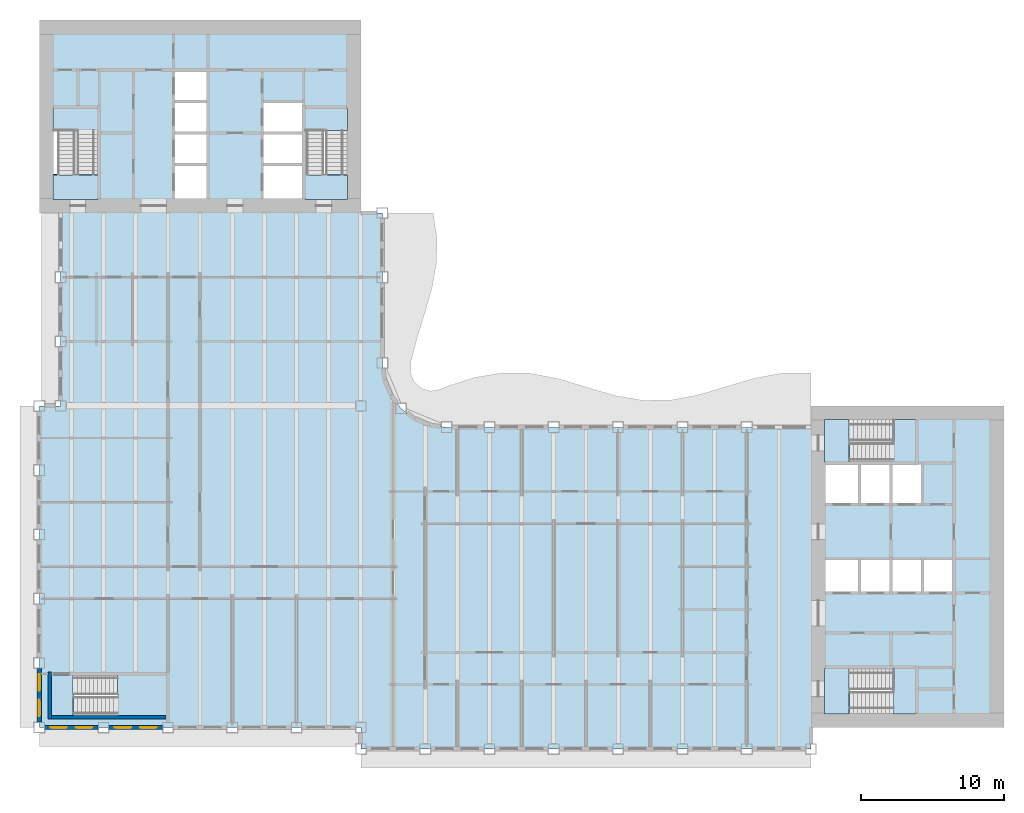
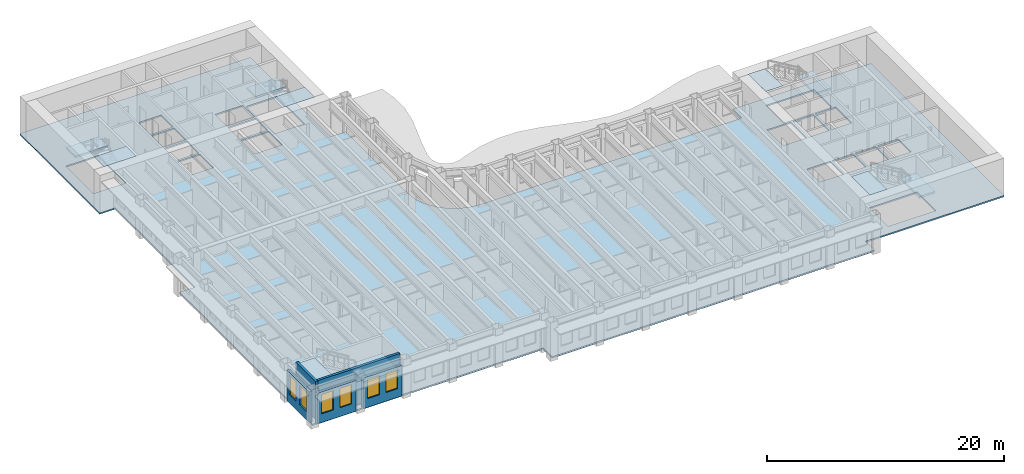
# One storey, part 2 of 17: 11 slabs, 6 windows, 5 walls, 6 openings, 5 elements without a shape of their own.
"""IFC4 building model written with IfcOpenShell, lengths in metres."""

from ifc_helpers import new_model, si_unit, direction, frame, frame_2d, origin, place, context, subcontext, project, spatial, polyline, rectangle, outline, extrude, material, layer, layer_set, type_object, element, fill, aggregate, save


model = new_model("IFC4")

# Units and contexts
model_context = context("Model", 3, precision=1e-05, world=origin(), true_north=direction((0.0, 1.0)))
body_context = subcontext(model_context, "Body", "Model", "MODEL_VIEW")
ifc_project = project(units=[si_unit("LENGTHUNIT", "METRE"), si_unit("AREAUNIT", "SQUARE_METRE"), si_unit("VOLUMEUNIT", "CUBIC_METRE"), si_unit("PLANEANGLEUNIT", "RADIAN"), si_unit("MASSUNIT", "GRAM", prefix="KILO")], contexts=[model_context])

# Site, building, storey
site_placement = place(None, origin())
site = spatial("IfcSite", under=ifc_project, at=site_placement, CompositionType="ELEMENT")
building_placement = place(site_placement, origin())
building = spatial("IfcBuilding", under=site, at=building_placement, Name="Sennacour Bend Tower", CompositionType="ELEMENT")
storey_placement = place(building_placement, frame((0.0, 0.0, 203.0)))
storey = spatial("IfcBuildingStorey", under=building, at=storey_placement, Name="L46", CompositionType="ELEMENT", Elevation=203.0)

# Slabs
ifc_material_1 = material(Name="Concrete C30/37", Category="concrete")
ifc_layer_1 = layer(ifc_material_1, 0.14990234375, Name="Concrete C30/37", Category="concrete")
ifc_layer_set_1 = layer_set([ifc_layer_1], Name="Concrete C30/37")
slab_type_1 = type_object("IfcSlabType", Name="Floor slab 150", PredefinedType="FLOOR", material=ifc_layer_set_1)
slab_1_placement = place(storey_placement, frame((0.0, 0.0, -0.14990234375)))
element("IfcSlab", 1, at=slab_1_placement, inside=storey, type_object=slab_type_1, Name="Floor slab L46-01", PredefinedType="FLOOR", context=body_context, shape_type="SweptSolid", body=[
    extrude(outline(polyline([(22.5, 0.0), (0.0, 0.0), (0.0, 22.5), (1.5, 22.5), (1.5, 36.0), (0.0, 36.0), (0.0, 49.5), (22.5, 49.5), (22.5, 36.0), (24.0, 36.0), (24.0, 25.5), (24.1533203125, 24.335205078125), (24.602783203125, 23.25), (25.318115234375, 22.318115234375), (26.25, 21.602783203125), (27.335205078125, 21.1533203125), (28.5, 21.0), (54.0, 21.0), (54.0, 22.5), (67.5, 22.5), (67.5, 0.0), (54.0, 0.0), (54.0, -1.5), (22.5, -1.5), (22.5, 0.0)]), holes=[polyline([(8.800048828125, 0.949951171875), (8.800048828125, 3.5), (2.429931640625, 3.5), (2.429931640625, 0.949951171875), (8.800048828125, 0.949951171875)]), polyline([(11.699951171875, 37.0), (11.699951171875, 39.300048828125), (9.5, 39.300048828125), (9.5, 37.0), (11.699951171875, 37.0)]), polyline([(18.39990234375, 37.0), (18.39990234375, 39.300048828125), (15.699951171875, 39.300048828125), (15.699951171875, 37.0), (18.39990234375, 37.0)]), polyline([(11.699951171875, 39.5), (11.699951171875, 41.5), (9.5, 41.5), (9.5, 39.5), (11.699951171875, 39.5)]), polyline([(18.39990234375, 39.5), (18.39990234375, 41.5), (15.699951171875, 41.5), (15.699951171875, 39.5), (18.39990234375, 39.5)]), polyline([(4.125, 38.72998046875), (4.125, 43.39990234375), (0.949951171875, 43.39990234375), (0.949951171875, 38.72998046875), (4.125, 38.72998046875)]), polyline([(21.550048828125, 38.72998046875), (21.550048828125, 43.39990234375), (18.574951171875, 43.39990234375), (18.574951171875, 38.72998046875), (21.550048828125, 38.72998046875)]), polyline([(9.5, 41.699951171875), (11.699951171875, 41.699951171875), (11.699951171875, 43.699951171875), (9.5, 43.699951171875), (9.5, 41.699951171875)]), polyline([(15.699951171875, 41.699951171875), (18.39990234375, 41.699951171875), (18.39990234375, 43.699951171875), (15.699951171875, 43.699951171875), (15.699951171875, 41.699951171875)]), polyline([(11.699951171875, 43.89990234375), (11.699951171875, 45.89990234375), (9.5, 45.89990234375), (9.5, 43.89990234375), (11.699951171875, 43.89990234375)]), polyline([(61.39990234375, 0.949951171875), (61.39990234375, 4.125), (56.72998046875, 4.125), (56.72998046875, 0.949951171875), (61.39990234375, 0.949951171875)]), polyline([(57.300048828125, 9.5), (57.300048828125, 11.699951171875), (55.0, 11.699951171875), (55.0, 9.5), (57.300048828125, 9.5)]), polyline([(57.5, 9.5), (59.5, 9.5), (59.5, 11.699951171875), (57.5, 11.699951171875), (57.5, 9.5)]), polyline([(59.699951171875, 9.5), (61.699951171875, 9.5), (61.699951171875, 11.699951171875), (59.699951171875, 11.699951171875), (59.699951171875, 9.5)]), polyline([(63.89990234375, 9.5), (63.89990234375, 11.699951171875), (61.89990234375, 11.699951171875), (61.89990234375, 9.5), (63.89990234375, 9.5)]), polyline([(57.300048828125, 15.699951171875), (57.300048828125, 18.39990234375), (55.0, 18.39990234375), (55.0, 15.699951171875), (57.300048828125, 15.699951171875)]), polyline([(59.5, 15.699951171875), (59.5, 18.39990234375), (57.5, 18.39990234375), (57.5, 15.699951171875), (59.5, 15.699951171875)]), polyline([(59.699951171875, 15.699951171875), (61.699951171875, 15.699951171875), (61.699951171875, 18.39990234375), (59.699951171875, 18.39990234375), (59.699951171875, 15.699951171875)]), polyline([(56.72998046875, 18.574951171875), (61.39990234375, 18.574951171875), (61.39990234375, 21.550048828125), (56.72998046875, 21.550048828125), (56.72998046875, 18.574951171875)])]), origin(), (0.0, 0.0, 1.0), 0.14990234375),
])
ifc_material_2 = material(Name="Concrete C40/50", Category="concrete")
ifc_layer_2 = layer(ifc_material_2, 0.034912109375, Name="Concrete C40/50", Category="concrete")
ifc_layer_set_2 = layer_set([ifc_layer_2], Name="Concrete C40/50")
slab_type_2 = type_object("IfcSlabType", Name="Stair arrival nib 35", PredefinedType="FLOOR", material=ifc_layer_set_2)
slab_2_placement = place(storey_placement, frame((0.0, 0.0, 3.815185546875)))
element("IfcSlab", 2, at=slab_2_placement, inside=storey, type_object=slab_type_2, Name="L46 SA1 stair arrival nib", PredefinedType="FLOOR", context=body_context, shape_type="SweptSolid", body=[
    extrude(outline(polyline([(56.64208984375, 4.125), (54.949951171875, 4.125), (54.949951171875, 0.949951171875), (56.64208984375, 0.949951171875), (56.64208984375, 4.125)])), origin(), (0.0, 0.0, 1.0), 0.034912109375),
])
slab_3_placement = place(storey_placement, frame((0.0, 0.0, 3.815185546875)))
element("IfcSlab", 3, at=slab_3_placement, inside=storey, type_object=slab_type_2, Name="L46 SA2 stair arrival nib", PredefinedType="FLOOR", context=body_context, shape_type="SweptSolid", body=[
    extrude(outline(polyline([(56.64208984375, 21.550048828125), (54.949951171875, 21.550048828125), (54.949951171875, 18.574951171875), (56.64208984375, 18.574951171875), (56.64208984375, 21.550048828125)])), origin(), (0.0, 0.0, 1.0), 0.034912109375),
])
slab_4_placement = place(storey_placement, frame((0.0, 0.0, 3.815185546875)))
element("IfcSlab", 4, at=slab_4_placement, inside=storey, type_object=slab_type_2, Name="L46 SB1 stair arrival nib", PredefinedType="FLOOR", context=body_context, shape_type="SweptSolid", body=[
    extrude(outline(polyline([(0.949951171875, 38.64208984375), (0.949951171875, 36.949951171875), (4.125, 36.949951171875), (4.125, 38.64208984375), (0.949951171875, 38.64208984375)])), origin(), (0.0, 0.0, 1.0), 0.034912109375),
])
slab_5_placement = place(storey_placement, frame((0.0, 0.0, 3.815185546875)))
element("IfcSlab", 5, at=slab_5_placement, inside=storey, type_object=slab_type_2, Name="L46 SB2 stair arrival nib", PredefinedType="FLOOR", context=body_context, shape_type="SweptSolid", body=[
    extrude(outline(polyline([(18.574951171875, 38.64208984375), (18.574951171875, 36.949951171875), (21.550048828125, 36.949951171875), (21.550048828125, 38.64208984375), (18.574951171875, 38.64208984375)])), origin(), (0.0, 0.0, 1.0), 0.034912109375),
])
slab_6_placement = place(storey_placement, frame((0.0, 0.0, 3.815185546875)))
element("IfcSlab", 6, at=slab_6_placement, inside=storey, type_object=slab_type_2, Name="L46 SK1 stair arrival nib", PredefinedType="FLOOR", context=body_context, shape_type="SweptSolid", body=[
    extrude(outline(polyline([(2.342041015625, 3.675048828125), (0.800048828125, 3.675048828125), (0.800048828125, 0.800048828125), (2.342041015625, 0.800048828125), (2.342041015625, 3.675048828125)])), origin(), (0.0, 0.0, 1.0), 0.034912109375),
])

# Stair, slab
stair_type = type_object("IfcStairType", Name="ST-DOGLEG", PredefinedType="HALF_TURN_STAIR", material=ifc_material_2)
stair_1_placement = place(storey_placement, origin())
stair_1 = element("IfcStair", 7, at=stair_1_placement, inside=storey, type_object=stair_type, Name="L46 Exit stair A1", PredefinedType="HALF_TURN_STAIR")
ifc_layer_3 = layer(ifc_material_2, 0.199951171875, Name="Concrete C40/50", Category="concrete")
ifc_layer_set_3 = layer_set([ifc_layer_3], Name="Concrete C40/50")
slab_type_3 = type_object("IfcSlabType", Name="Stair landing 200", PredefinedType="LANDING", material=ifc_layer_set_3)
slab_7_placement = place(storey_placement, frame((0.0, 0.0, 1.800048828125)))
slab_7 = element("IfcSlab", 8, at=slab_7_placement, type_object=slab_type_3, Name="SA1 landing 1", PredefinedType="LANDING", context=body_context, shape_type="SweptSolid", body=[
    extrude(outline(polyline([(59.780029296875, 0.949951171875), (61.324951171875, 0.949951171875), (61.324951171875, 4.125), (59.780029296875, 4.125), (59.780029296875, 0.949951171875)])), origin(), (0.0, 0.0, 1.0), 0.199951171875),
])
aggregate(stair_1, [slab_7])

stair_2_placement = place(storey_placement, origin())
stair_2 = element("IfcStair", 9, at=stair_2_placement, inside=storey, type_object=stair_type, Name="L46 Exit stair A2", PredefinedType="HALF_TURN_STAIR")
slab_8_placement = place(storey_placement, frame((0.0, 0.0, 1.800048828125)))
slab_8 = element("IfcSlab", 10, at=slab_8_placement, type_object=slab_type_3, Name="SA2 landing 1", PredefinedType="LANDING", context=body_context, shape_type="SweptSolid", body=[
    extrude(outline(polyline([(59.780029296875, 18.574951171875), (61.324951171875, 18.574951171875), (61.324951171875, 21.550048828125), (59.780029296875, 21.550048828125), (59.780029296875, 18.574951171875)])), origin(), (0.0, 0.0, 1.0), 0.199951171875),
])
aggregate(stair_2, [slab_8])

stair_3_placement = place(storey_placement, origin())
stair_3 = element("IfcStair", 11, at=stair_3_placement, inside=storey, type_object=stair_type, Name="L46 Exit stair B1", PredefinedType="HALF_TURN_STAIR")
slab_9_placement = place(storey_placement, frame((0.0, 0.0, 1.800048828125)))
slab_9 = element("IfcSlab", 12, at=slab_9_placement, type_object=slab_type_3, Name="SB1 landing 1", PredefinedType="LANDING", context=body_context, shape_type="SweptSolid", body=[
    extrude(outline(polyline([(0.949951171875, 41.780029296875), (4.125, 41.780029296875), (4.125, 43.324951171875), (0.949951171875, 43.324951171875), (0.949951171875, 41.780029296875)])), origin(), (0.0, 0.0, 1.0), 0.199951171875),
])
aggregate(stair_3, [slab_9])

stair_4_placement = place(storey_placement, origin())
stair_4 = element("IfcStair", 13, at=stair_4_placement, inside=storey, type_object=stair_type, Name="L46 Exit stair B2", PredefinedType="HALF_TURN_STAIR")
slab_10_placement = place(storey_placement, frame((0.0, 0.0, 1.800048828125)))
slab_10 = element("IfcSlab", 14, at=slab_10_placement, type_object=slab_type_3, Name="SB2 landing 1", PredefinedType="LANDING", context=body_context, shape_type="SweptSolid", body=[
    extrude(outline(polyline([(18.574951171875, 41.780029296875), (21.550048828125, 41.780029296875), (21.550048828125, 43.324951171875), (18.574951171875, 43.324951171875), (18.574951171875, 41.780029296875)])), origin(), (0.0, 0.0, 1.0), 0.199951171875),
])
aggregate(stair_4, [slab_10])

stair_5_placement = place(storey_placement, origin())
stair_5 = element("IfcStair", 15, at=stair_5_placement, inside=storey, type_object=stair_type, Name="L46 Exit stair K1", PredefinedType="HALF_TURN_STAIR")
slab_11_placement = place(storey_placement, frame((0.0, 0.0, 1.800048828125)))
slab_11 = element("IfcSlab", 16, at=slab_11_placement, type_object=slab_type_3, Name="SK1 landing 1", PredefinedType="LANDING", context=body_context, shape_type="SweptSolid", body=[
    extrude(outline(polyline([(5.47998046875, 0.800048828125), (8.925048828125, 0.800048828125), (8.925048828125, 3.675048828125), (5.47998046875, 3.675048828125), (5.47998046875, 0.800048828125)])), origin(), (0.0, 0.0, 1.0), 0.199951171875),
])
aggregate(stair_5, [slab_11])

# Wall, openings, windows
ifc_material_3 = material(Name="Warm limestone cladding", Category="masonry")
ifc_layer_4 = layer(ifc_material_3, 0.050048828125, Name="Warm limestone cladding", Category="masonry")
ifc_material_4 = material(Name="Precast concrete C40/50", Category="concrete")
ifc_layer_5 = layer(ifc_material_4, 0.25, Name="Precast concrete C40/50", Category="concrete")
ifc_layer_set_4 = layer_set([ifc_layer_4, ifc_layer_5], Name="Precast concrete C40/50 with limestone cladding")
wall_type_1 = type_object("IfcWallType", Name="STONE-CLAD PRECAST SPANDREL 300", PredefinedType="STANDARD", material=ifc_layer_set_4)
wall_1_placement = place(storey_placement, frame((0.0, 4.125, 0.0), z_axis=(0.0, 0.0, 1.0), x_axis=(0.0, -1.0, 0.0)))
wall_1 = element("IfcWall", 17, at=wall_1_placement, inside=storey, type_object=wall_type_1, Name="Stone spandrel and pier wall L46 21.04", PredefinedType="STANDARD", context=body_context, shape_type="SweptSolid", body=[
    extrude(rectangle(XDim=3.75, YDim=0.300048828125, at=frame_2d((1.875, 0.0))), origin(), (0.0, 0.0, 1.0), 3.156982421875),
])
opening_1_placement = place(wall_1_placement, frame((0.41259765625, 0.0, 0.89990234375)))
opening_1 = element("IfcOpeningElement", 18, at=opening_1_placement, cuts=wall_1, Name="Opening W24", PredefinedType="OPENING", context=body_context, shape_type="SweptSolid", body=[
    extrude(rectangle(XDim=1.14990234375, YDim=2.0, at=frame_2d((0.574951171875, 1.0))), frame((0.0, 0.16015625, 0.0), z_axis=(0.0, -1.0, 0.0), x_axis=(1.0, 0.0, 0.0)), (0.0, 0.0, 1.0), 0.320068359375),
])
opening_2_placement = place(wall_1_placement, frame((2.1875, 0.0, 0.89990234375)))
opening_2 = element("IfcOpeningElement", 19, at=opening_2_placement, cuts=wall_1, Name="Opening W24", PredefinedType="OPENING", context=body_context, shape_type="SweptSolid", body=[
    extrude(rectangle(XDim=1.14990234375, YDim=2.0, at=frame_2d((0.574951171875, 1.0))), frame((0.0, 0.16015625, 0.0), z_axis=(0.0, -1.0, 0.0), x_axis=(1.0, 0.0, 0.0)), (0.0, 0.0, 1.0), 0.320068359375),
])
ifc_material_5 = material(Name="Clear low-emissivity glass", Category="glass")
window_type = type_object("IfcWindowType", Name="WIN-RIBBON-1150x2000", PartitioningType="SINGLE_PANEL", PredefinedType="WINDOW", material=ifc_material_5)
window_1_placement = place(opening_1_placement, origin())
window_1 = element("IfcWindow", 20, at=window_1_placement, inside=storey, type_object=window_type, Name="Ribbon window L46 21.04.0", OverallHeight=2.0, OverallWidth=1.14990234375, PartitioningType="SINGLE_PANEL", PredefinedType="WINDOW", context=body_context, shape_type="SweptSolid", body=[
    extrude(rectangle(XDim=1.14990234375, YDim=2.0, at=frame_2d((0.574951171875, 1.0))), frame((0.0, 0.030029296875, 0.0), z_axis=(0.0, -1.0, 0.0), x_axis=(1.0, 0.0, 0.0)), (0.0, 0.0, 1.0), 0.06005859375),
])
fill(opening_1, window_1)
window_2_placement = place(opening_2_placement, origin())
window_2 = element("IfcWindow", 21, at=window_2_placement, inside=storey, type_object=window_type, Name="Ribbon window L46 21.04.1", OverallHeight=2.0, OverallWidth=1.14990234375, PartitioningType="SINGLE_PANEL", PredefinedType="WINDOW", context=body_context, shape_type="SweptSolid", body=[
    extrude(rectangle(XDim=1.14990234375, YDim=2.0, at=frame_2d((0.574951171875, 1.0))), frame((0.0, 0.030029296875, 0.0), z_axis=(0.0, -1.0, 0.0), x_axis=(1.0, 0.0, 0.0)), (0.0, 0.0, 1.0), 0.06005859375),
])
fill(opening_2, window_2)

wall_2_placement = place(storey_placement, frame((0.375, 0.0, 0.0), z_axis=(0.0, 0.0, 1.0), x_axis=(1.0, 0.0, 0.0)))
wall_2 = element("IfcWall", 22, at=wall_2_placement, inside=storey, type_object=wall_type_1, Name="Stone spandrel and pier wall L46 22.00", PredefinedType="STANDARD", context=body_context, shape_type="SweptSolid", body=[
    extrude(rectangle(XDim=3.75, YDim=0.300048828125, at=frame_2d((1.875, 0.0))), origin(), (0.0, 0.0, 1.0), 3.156982421875),
])
opening_3_placement = place(wall_2_placement, frame((0.41259765625, 0.0, 0.89990234375)))
opening_3 = element("IfcOpeningElement", 23, at=opening_3_placement, cuts=wall_2, Name="Opening W24", PredefinedType="OPENING", context=body_context, shape_type="SweptSolid", body=[
    extrude(rectangle(XDim=1.14990234375, YDim=2.0, at=frame_2d((0.574951171875, 1.0))), frame((0.0, 0.16015625, 0.0), z_axis=(0.0, -1.0, 0.0), x_axis=(1.0, 0.0, 0.0)), (0.0, 0.0, 1.0), 0.320068359375),
])
opening_4_placement = place(wall_2_placement, frame((2.1875, 0.0, 0.89990234375)))
opening_4 = element("IfcOpeningElement", 24, at=opening_4_placement, cuts=wall_2, Name="Opening W24", PredefinedType="OPENING", context=body_context, shape_type="SweptSolid", body=[
    extrude(rectangle(XDim=1.14990234375, YDim=2.0, at=frame_2d((0.574951171875, 1.0))), frame((0.0, 0.16015625, 0.0), z_axis=(0.0, -1.0, 0.0), x_axis=(1.0, 0.0, 0.0)), (0.0, 0.0, 1.0), 0.320068359375),
])
window_3_placement = place(opening_3_placement, origin())
window_3 = element("IfcWindow", 25, at=window_3_placement, inside=storey, type_object=window_type, Name="Ribbon window L46 22.00.0", OverallHeight=2.0, OverallWidth=1.14990234375, PartitioningType="SINGLE_PANEL", PredefinedType="WINDOW", context=body_context, shape_type="SweptSolid", body=[
    extrude(rectangle(XDim=1.14990234375, YDim=2.0, at=frame_2d((0.574951171875, 1.0))), frame((0.0, 0.030029296875, 0.0), z_axis=(0.0, -1.0, 0.0), x_axis=(1.0, 0.0, 0.0)), (0.0, 0.0, 1.0), 0.06005859375),
])
fill(opening_3, window_3)
window_4_placement = place(opening_4_placement, origin())
window_4 = element("IfcWindow", 26, at=window_4_placement, inside=storey, type_object=window_type, Name="Ribbon window L46 22.00.1", OverallHeight=2.0, OverallWidth=1.14990234375, PartitioningType="SINGLE_PANEL", PredefinedType="WINDOW", context=body_context, shape_type="SweptSolid", body=[
    extrude(rectangle(XDim=1.14990234375, YDim=2.0, at=frame_2d((0.574951171875, 1.0))), frame((0.0, 0.030029296875, 0.0), z_axis=(0.0, -1.0, 0.0), x_axis=(1.0, 0.0, 0.0)), (0.0, 0.0, 1.0), 0.06005859375),
])
fill(opening_4, window_4)

wall_3_placement = place(storey_placement, frame((4.875, 0.0, 0.0), z_axis=(0.0, 0.0, 1.0), x_axis=(1.0, 0.0, 0.0)))
wall_3 = element("IfcWall", 27, at=wall_3_placement, inside=storey, type_object=wall_type_1, Name="Stone spandrel and pier wall L46 22.01", PredefinedType="STANDARD", context=body_context, shape_type="SweptSolid", body=[
    extrude(rectangle(XDim=3.75, YDim=0.300048828125, at=frame_2d((1.875, 0.0))), origin(), (0.0, 0.0, 1.0), 3.156982421875),
])
opening_5_placement = place(wall_3_placement, frame((0.41259765625, 0.0, 0.89990234375)))
opening_5 = element("IfcOpeningElement", 28, at=opening_5_placement, cuts=wall_3, Name="Opening W24", PredefinedType="OPENING", context=body_context, shape_type="SweptSolid", body=[
    extrude(rectangle(XDim=1.14990234375, YDim=2.0, at=frame_2d((0.574951171875, 1.0))), frame((0.0, 0.16015625, 0.0), z_axis=(0.0, -1.0, 0.0), x_axis=(1.0, 0.0, 0.0)), (0.0, 0.0, 1.0), 0.320068359375),
])
opening_6_placement = place(wall_3_placement, frame((2.1875, 0.0, 0.89990234375)))
opening_6 = element("IfcOpeningElement", 29, at=opening_6_placement, cuts=wall_3, Name="Opening W24", PredefinedType="OPENING", context=body_context, shape_type="SweptSolid", body=[
    extrude(rectangle(XDim=1.14990234375, YDim=2.0, at=frame_2d((0.574951171875, 1.0))), frame((0.0, 0.16015625, 0.0), z_axis=(0.0, -1.0, 0.0), x_axis=(1.0, 0.0, 0.0)), (0.0, 0.0, 1.0), 0.320068359375),
])
window_5_placement = place(opening_5_placement, origin())
window_5 = element("IfcWindow", 30, at=window_5_placement, inside=storey, type_object=window_type, Name="Ribbon window L46 22.01.0", OverallHeight=2.0, OverallWidth=1.14990234375, PartitioningType="SINGLE_PANEL", PredefinedType="WINDOW", context=body_context, shape_type="SweptSolid", body=[
    extrude(rectangle(XDim=1.14990234375, YDim=2.0, at=frame_2d((0.574951171875, 1.0))), frame((0.0, 0.030029296875, 0.0), z_axis=(0.0, -1.0, 0.0), x_axis=(1.0, 0.0, 0.0)), (0.0, 0.0, 1.0), 0.06005859375),
])
fill(opening_5, window_5)
window_6_placement = place(opening_6_placement, origin())
window_6 = element("IfcWindow", 31, at=window_6_placement, inside=storey, type_object=window_type, Name="Ribbon window L46 22.01.1", OverallHeight=2.0, OverallWidth=1.14990234375, PartitioningType="SINGLE_PANEL", PredefinedType="WINDOW", context=body_context, shape_type="SweptSolid", body=[
    extrude(rectangle(XDim=1.14990234375, YDim=2.0, at=frame_2d((0.574951171875, 1.0))), frame((0.0, 0.030029296875, 0.0), z_axis=(0.0, -1.0, 0.0), x_axis=(1.0, 0.0, 0.0)), (0.0, 0.0, 1.0), 0.06005859375),
])
fill(opening_6, window_6)

# Walls
ifc_material_6 = material(Name="Concrete C60/75", Category="concrete")
ifc_layer_6 = layer(ifc_material_6, 0.25, Name="Concrete C60/75", Category="concrete")
ifc_layer_set_5 = layer_set([ifc_layer_6], Name="Concrete C60/75")
wall_type_2 = type_object("IfcWallType", Name="Stair wall 250", PredefinedType="SHEAR", material=ifc_layer_set_5)
wall_4_placement = place(storey_placement, frame((0.72509765625, 0.60009765625, 0.0), z_axis=(0.0, 0.0, 1.0), x_axis=(0.0, 1.0, 0.0)))
element("IfcWall", 32, at=wall_4_placement, inside=storey, type_object=wall_type_2, Name="P-L46-W002", PredefinedType="SHEAR", context=body_context, shape_type="SweptSolid", body=[
    extrude(rectangle(XDim=3.27490234375, YDim=0.25, at=frame_2d((1.637451171875, 0.0))), origin(), (0.0, 0.0, 1.0), 3.85009765625),
])
wall_5_placement = place(storey_placement, frame((0.85009765625, 0.72509765625, 0.0), z_axis=(0.0, 0.0, 1.0), x_axis=(1.0, 0.0, 0.0)))
element("IfcWall", 33, at=wall_5_placement, inside=storey, type_object=wall_type_2, Name="P-L46-W056", PredefinedType="SHEAR", context=body_context, shape_type="SweptSolid", body=[
    extrude(rectangle(XDim=8.02490234375, YDim=0.25, at=frame_2d((4.012451171875, 0.0))), origin(), (0.0, 0.0, 1.0), 3.85009765625),
])

save(model, "model.ifc")
